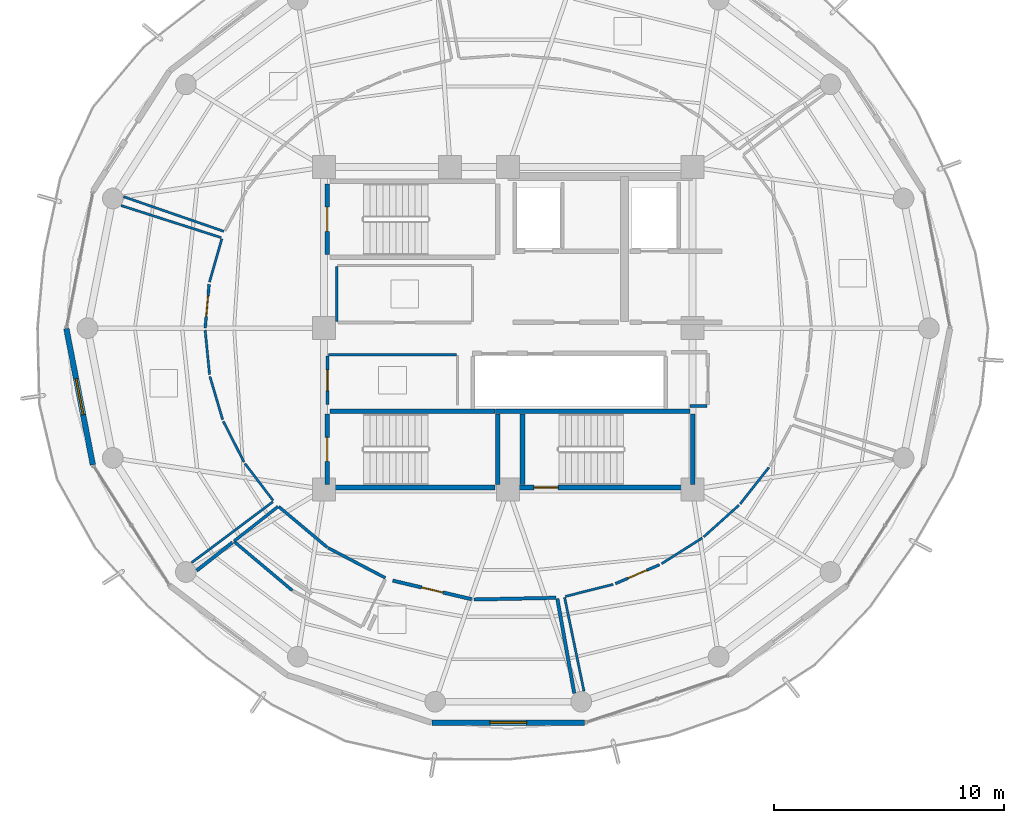
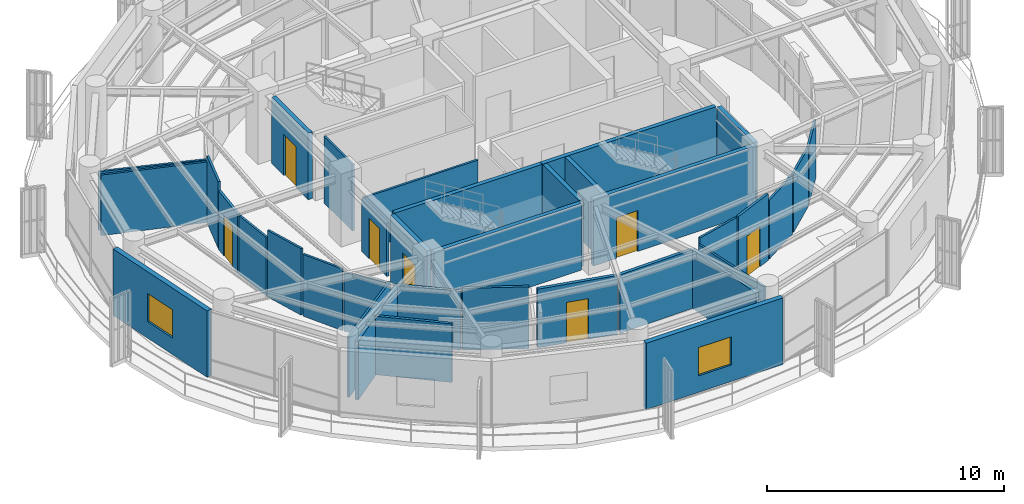
# One storey, part 16 of 23: 38 walls, 7 doors, 2 windows, 9 openings.
"""IFC4 building model written with IfcOpenShell, lengths in metres."""

from ifc_helpers import new_model, si_unit, direction, frame, frame_2d, origin, place, context, subcontext, project, spatial, rectangle, extrude, material, layer, layer_set, type_object, element, fill, save


model = new_model("IFC4")

# Units and contexts
model_context = context("Model", 3, precision=1e-05, world=origin(), true_north=direction((0.0, 1.0)))
body_context = subcontext(model_context, "Body", "Model", "MODEL_VIEW")
ifc_project = project(units=[si_unit("LENGTHUNIT", "METRE"), si_unit("AREAUNIT", "SQUARE_METRE"), si_unit("VOLUMEUNIT", "CUBIC_METRE"), si_unit("PLANEANGLEUNIT", "RADIAN"), si_unit("MASSUNIT", "GRAM", prefix="KILO")], contexts=[model_context])

# Site, building, storey
site_placement = place(None, origin())
site = spatial("IfcSite", under=ifc_project, at=site_placement, CompositionType="ELEMENT")
building_placement = place(site_placement, origin())
building = spatial("IfcBuilding", under=site, at=building_placement, Name="Kelanora Arch Commons", CompositionType="ELEMENT")
storey_placement = place(building_placement, frame((0.0, 0.0, 289.949951171875)))
storey = spatial("IfcBuildingStorey", under=building, at=storey_placement, Name="L74", CompositionType="ELEMENT", Elevation=289.949951171875)

# Wall, opening, door
ifc_material_1 = material(Name="Autoclaved aerated concrete blockwork with fire plaster", Category="masonry")
ifc_layer_1 = layer(ifc_material_1, 0.14990234375)
ifc_layer_set_1 = layer_set([ifc_layer_1], Name="Autoclaved aerated concrete blockwork with fire plaster")
wall_type_1 = type_object("IfcWallType", Name="W-COMP-150", PredefinedType="PARTITIONING", material=ifc_layer_set_1)
wall_1_placement = place(storey_placement, frame((68.9833984375, 47.033203125, 0.0), z_axis=(0.0, 0.0, 1.0), x_axis=(0.973265021884, -0.229684995542, 0.0)))
wall_1 = element("IfcWall", 1, at=wall_1_placement, inside=storey, type_object=wall_type_1, Name="Co-Living Studio L74-03 Entry Partition", PredefinedType="PARTITIONING", context=body_context, shape_type="SweptSolid", body=[
    extrude(rectangle(XDim=3.519287109375, YDim=0.14990234375, at=frame_2d((1.759765625, 0.0))), origin(), (0.0, 0.0, 1.0), 3.01513671875),
])
opening_1_placement = place(wall_1_placement, frame((1.284912109375, 0.0, 0.0)))
opening_1 = element("IfcOpeningElement", 2, at=opening_1_placement, cuts=wall_1, Name="Opening D-CLU1", PredefinedType="OPENING", context=body_context, shape_type="SweptSolid", body=[
    extrude(rectangle(XDim=0.949951171875, YDim=2.080078125, at=frame_2d((0.47509765625, 1.0400390625))), frame((0.0, 0.0849609375, 0.0), z_axis=(0.0, -1.0, 0.0), x_axis=(1.0, 0.0, 0.0)), (0.0, 0.0, 1.0), 0.169921875),
])
ifc_material_2 = material(Name="Solid-core acoustic timber cluster entry fire door", Category="wood")
door_type_1 = type_object("IfcDoorType", Name="D-CLU-95", OperationType="NOTDEFINED", PredefinedType="DOOR", material=ifc_material_2)
door_1_placement = place(opening_1_placement, origin())
door_1 = element("IfcDoor", 3, at=door_1_placement, inside=storey, type_object=door_type_1, Name="Co-Living Studio L74-03 Door", OperationType="SINGLE_SWING_RIGHT", OverallHeight=2.080078125, OverallWidth=0.949951171875, PredefinedType="DOOR", context=body_context, shape_type="SweptSolid", body=[
    extrude(rectangle(XDim=0.949951171875, YDim=2.080078125, at=frame_2d((0.47509765625, 1.0400390625))), frame((0.0, 0.02490234375, 0.0), z_axis=(0.0, -1.0, 0.0), x_axis=(1.0, 0.0, 0.0)), (0.0, 0.0, 1.0), 0.050048828125),
])
fill(opening_1, door_1)

# Walls
wall_2_placement = place(storey_placement, frame((81.89990234375, 54.6201171875, 0.0), z_axis=(0.0, 0.0, 1.0), x_axis=(1.0, 0.0, 0.0)))
element("IfcWall", 4, at=wall_2_placement, inside=storey, type_object=wall_type_1, Name="Core Housekeeping Store L74 Enclosure Partition 1", PredefinedType="PARTITIONING", context=body_context, shape_type="SweptSolid", body=[
    extrude(rectangle(XDim=0.739990234375, YDim=0.14990234375, at=frame_2d((0.3701171875, 0.0))), origin(), (0.0, 0.0, 1.0), 2.715087890625),
])
wall_3_placement = place(storey_placement, frame((72.507080078125, 46.2119140625, 0.0), z_axis=(0.0, 0.0, 1.0), x_axis=(0.999790880908, 0.02044980325, 0.0)))
element("IfcWall", 5, at=wall_3_placement, inside=storey, type_object=wall_type_1, Name="Co-Living Studio L74-03 Enclosure Partition 2", PredefinedType="PARTITIONING", context=body_context, shape_type="SweptSolid", body=[
    extrude(rectangle(XDim=3.58154296875, YDim=0.14990234375, at=frame_2d((1.790771484375, 0.0))), origin(), (0.0, 0.0, 1.0), 3.01513671875),
])
wall_4_placement = place(storey_placement, frame((76.135009765625, 46.24658203125, 0.0), z_axis=(0.0, 0.0, 1.0), x_axis=(0.176199339585, -0.984354505618, 0.0)))
element("IfcWall", 6, at=wall_4_placement, inside=storey, type_object=wall_type_1, Name="Co-Living Studio L74-03 Enclosure Partition 3", PredefinedType="PARTITIONING", context=body_context, shape_type="SweptSolid", body=[
    extrude(rectangle(XDim=4.17626953125, YDim=0.14990234375, at=frame_2d((2.088134765625, 0.0))), origin(), (0.0, 0.0, 1.0), 3.01513671875),
])
wall_5_placement = place(storey_placement, frame((60.4677734375, 47.467529296875, 0.0), z_axis=(0.0, 0.0, 1.0), x_axis=(0.785768578647, 0.618520606618, 0.0)))
element("IfcWall", 7, at=wall_5_placement, inside=storey, type_object=wall_type_1, Name="Co-Living Studio L74-03 Enclosure Partition 6", PredefinedType="PARTITIONING", context=body_context, shape_type="SweptSolid", body=[
    extrude(rectangle(XDim=1.9736328125, YDim=0.14990234375, at=frame_2d((0.98681640625, 0.0))), origin(), (0.0, 0.0, 1.0), 3.01513671875),
])

# Wall, opening, window
ifc_material_3 = material(Name="Precast concrete C40/50 upper-zone terracotta rainscreen", Category="masonry")
ifc_layer_2 = layer(ifc_material_3, 0.239990234375)
ifc_layer_set_2 = layer_set([ifc_layer_2], Name="Precast concrete C40/50 upper-zone terracotta rainscreen")
wall_type_2 = type_object("IfcWallType", Name="W-EXT-TC2", PredefinedType="SOLIDWALL", material=ifc_layer_set_2)
wall_6_placement = place(storey_placement, frame((54.802978515625, 57.9853515625, 0.0), z_axis=(0.0, 0.0, 1.0), x_axis=(0.190969309115, -0.981596008028, 0.0)))
wall_6 = element("IfcWall", 8, at=wall_6_placement, inside=storey, type_object=wall_type_2, Name="Terracotta Exterior Wall L74-B09", PredefinedType="SOLIDWALL", context=body_context, shape_type="SweptSolid", body=[
    extrude(rectangle(XDim=6.032958984375, YDim=0.239990234375, at=frame_2d((3.0166015625, 0.0))), origin(), (0.0, 0.0, 1.0), 3.4150390625),
])
opening_2_placement = place(wall_6_placement, frame((2.216064453125, 0.0, 0.85009765625)))
opening_2 = element("IfcOpeningElement", 9, at=opening_2_placement, cuts=wall_6, Name="Opening WN-01", PredefinedType="OPENING", context=body_context, shape_type="SweptSolid", body=[
    extrude(rectangle(XDim=1.60009765625, YDim=1.449951171875, at=frame_2d((0.800048828125, 0.72509765625))), frame((0.0, 0.1298828125, 0.0), z_axis=(0.0, -1.0, 0.0), x_axis=(1.0, 0.0, 0.0)), (0.0, 0.0, 1.0), 0.260009765625),
])
ifc_material_4 = material(Name="Terracotta-anodised aluminium frame with operable low-E glazing", Category="masonry")
window_type = type_object("IfcWindowType", Name="WIN-CL-18", PartitioningType="DOUBLE_PANEL_VERTICAL", PredefinedType="WINDOW", material=ifc_material_4)
window_1_placement = place(opening_2_placement, origin())
window_1 = element("IfcWindow", 10, at=window_1_placement, inside=storey, type_object=window_type, Name="Co-Living Operable Window L74-B09", OverallHeight=1.449951171875, OverallWidth=1.60009765625, PartitioningType="SINGLE_PANEL", PredefinedType="WINDOW", context=body_context, shape_type="SweptSolid", body=[
    extrude(rectangle(XDim=1.60009765625, YDim=1.449951171875, at=frame_2d((0.800048828125, 0.72509765625))), frame((0.0, 0.030029296875, 0.0), z_axis=(0.0, -1.0, 0.0), x_axis=(1.0, 0.0, 0.0)), (0.0, 0.0, 1.0), 0.06005859375),
])
fill(opening_2, window_1)

wall_7_placement = place(storey_placement, frame((70.680908203125, 40.8642578125, 0.0), z_axis=(0.0, 0.0, 1.0), x_axis=(1.0, 0.0, 0.0)))
wall_7 = element("IfcWall", 11, at=wall_7_placement, inside=storey, type_object=wall_type_2, Name="Terracotta Exterior Wall L74-B13", PredefinedType="SOLIDWALL", context=body_context, shape_type="SweptSolid", body=[
    extrude(rectangle(XDim=6.63818359375, YDim=0.239990234375, at=frame_2d((3.319091796875, 0.0))), origin(), (0.0, 0.0, 1.0), 3.4150390625),
])
opening_3_placement = place(wall_7_placement, frame((2.51904296875, 0.0, 0.85009765625)))
opening_3 = element("IfcOpeningElement", 12, at=opening_3_placement, cuts=wall_7, Name="Opening WN-01", PredefinedType="OPENING", context=body_context, shape_type="SweptSolid", body=[
    extrude(rectangle(XDim=1.60009765625, YDim=1.449951171875, at=frame_2d((0.800048828125, 0.72509765625))), frame((0.0, 0.1298828125, 0.0), z_axis=(0.0, -1.0, 0.0), x_axis=(1.0, 0.0, 0.0)), (0.0, 0.0, 1.0), 0.260009765625),
])
window_2_placement = place(opening_3_placement, origin())
window_2 = element("IfcWindow", 13, at=window_2_placement, inside=storey, type_object=window_type, Name="Co-Living Operable Window L74-B13", OverallHeight=1.449951171875, OverallWidth=1.60009765625, PartitioningType="SINGLE_PANEL", PredefinedType="WINDOW", context=body_context, shape_type="SweptSolid", body=[
    extrude(rectangle(XDim=1.60009765625, YDim=1.449951171875, at=frame_2d((0.800048828125, 0.72509765625))), frame((0.0, 0.030029296875, 0.0), z_axis=(0.0, -1.0, 0.0), x_axis=(1.0, 0.0, 0.0)), (0.0, 0.0, 1.0), 0.06005859375),
])
fill(opening_3, window_2)

# Walls
ifc_material_5 = material(Name="Lightweight fire-rated acoustic stud partition")
ifc_layer_3 = layer(ifc_material_5, 0.10009765625)
ifc_layer_set_3 = layer_set([ifc_layer_3], Name="Lightweight fire-rated acoustic stud partition")
wall_type_3 = type_object("IfcWallType", Name="W-PART-100", PredefinedType="PARTITIONING", material=ifc_layer_set_3)
wall_8_placement = place(storey_placement, frame((66.550048828125, 60.679931640625, 0.0), z_axis=(0.0, 0.0, 1.0), x_axis=(0.0, -1.0, 0.0)))
element("IfcWall", 14, at=wall_8_placement, inside=storey, type_object=wall_type_3, Name="Reclaimed Core Study Pod Lounge L74 Enclosure Partition 4", PredefinedType="PARTITIONING", context=body_context, shape_type="SweptSolid", body=[
    extrude(rectangle(XDim=2.389892578125, YDim=0.10009765625, at=frame_2d((1.19482421875, 0.0))), origin(), (0.0, 0.0, 1.0), 3.420166015625),
])
wall_9_placement = place(storey_placement, frame((71.760009765625, 56.85009765625, 0.0), z_axis=(0.0, 0.0, 1.0), x_axis=(-1.0, 0.0, 0.0)))
element("IfcWall", 15, at=wall_9_placement, inside=storey, type_object=wall_type_3, Name="Reclaimed Core High-Zone Pantry and Copy Room L74 Enclosure Partition 3", PredefinedType="PARTITIONING", context=body_context, shape_type="SweptSolid", body=[
    extrude(rectangle(XDim=5.570068359375, YDim=0.10009765625, at=frame_2d((2.78515625, 0.0))), origin(), (0.0, 0.0, 1.0), 2.715087890625),
])
wall_10_placement = place(storey_placement, frame((61.64208984375, 62.208984375, 0.0), z_axis=(0.0, 0.0, 1.0), x_axis=(-0.945103281494, 0.326771766388, 0.0)))
element("IfcWall", 16, at=wall_10_placement, inside=storey, type_object=wall_type_3, Name="Communal Dining and Social Hall L74-01 Enclosure Partition 7", PredefinedType="PARTITIONING", context=body_context, shape_type="SweptSolid", body=[
    extrude(rectangle(XDim=4.603759765625, YDim=0.10009765625, at=frame_2d((2.3017578125, 0.0))), origin(), (0.0, 0.0, 1.0), 3.01513671875),
])
wall_11_placement = place(storey_placement, frame((61.55908203125, 61.884521484375, 0.0), z_axis=(0.0, 0.0, 1.0), x_axis=(-0.274226302341, -0.961665188673, 0.0)))
element("IfcWall", 17, at=wall_11_placement, inside=storey, type_object=wall_type_3, Name="Social Sky Lounge L74-02 Enclosure Partition 1", PredefinedType="PARTITIONING", context=body_context, shape_type="SweptSolid", body=[
    extrude(rectangle(XDim=1.955078125, YDim=0.10009765625, at=frame_2d((0.9775390625, 0.0))), origin(), (0.0, 0.0, 1.0), 3.420166015625),
])
wall_12_placement = place(storey_placement, frame((60.833984375, 57.912109375, 0.0), z_axis=(0.0, 0.0, 1.0), x_axis=(0.098769631998, -0.995110325439, 0.0)))
element("IfcWall", 18, at=wall_12_placement, inside=storey, type_object=wall_type_3, Name="Social Sky Lounge L74-02 Enclosure Partition 3", PredefinedType="PARTITIONING", context=body_context, shape_type="SweptSolid", body=[
    extrude(rectangle(XDim=1.94287109375, YDim=0.10009765625, at=frame_2d((0.971435546875, 0.0))), origin(), (0.0, 0.0, 1.0), 3.01513671875),
])
wall_13_placement = place(storey_placement, frame((61.041259765625, 55.900634765625, 0.0), z_axis=(0.0, 0.0, 1.0), x_axis=(0.28293653612, -0.959138632591, 0.0)))
element("IfcWall", 19, at=wall_13_placement, inside=storey, type_object=wall_type_3, Name="Social Sky Lounge L74-02 Enclosure Partition 4", PredefinedType="PARTITIONING", context=body_context, shape_type="SweptSolid", body=[
    extrude(rectangle(XDim=1.9560546875, YDim=0.10009765625, at=frame_2d((0.97802734375, 0.0))), origin(), (0.0, 0.0, 1.0), 3.420166015625),
])
wall_14_placement = place(storey_placement, frame((61.6240234375, 53.950439453125, 0.0), z_axis=(0.0, 0.0, 1.0), x_axis=(0.453658133306, -0.891175795276, 0.0)))
element("IfcWall", 20, at=wall_14_placement, inside=storey, type_object=wall_type_3, Name="Social Sky Lounge L74-02 Enclosure Partition 5", PredefinedType="PARTITIONING", context=body_context, shape_type="SweptSolid", body=[
    extrude(rectangle(XDim=1.9814453125, YDim=0.10009765625, at=frame_2d((0.99072265625, 0.0))), origin(), (0.0, 0.0, 1.0), 3.175048828125),
])
wall_15_placement = place(storey_placement, frame((62.565185546875, 52.1171875, 0.0), z_axis=(0.0, 0.0, 1.0), x_axis=(0.605473441765, -0.795865510823, 0.0)))
element("IfcWall", 21, at=wall_15_placement, inside=storey, type_object=wall_type_3, Name="Social Sky Lounge L74-02 Enclosure Partition 6", PredefinedType="PARTITIONING", context=body_context, shape_type="SweptSolid", body=[
    extrude(rectangle(XDim=2.014404296875, YDim=0.10009765625, at=frame_2d((1.00732421875, 0.0))), origin(), (0.0, 0.0, 1.0), 3.01513671875),
])
wall_16_placement = place(storey_placement, frame((63.777099609375, 50.4580078125, 0.0), z_axis=(0.0, 0.0, 1.0), x_axis=(-0.800384816546, -0.599486568191, 0.0)))
element("IfcWall", 22, at=wall_16_placement, inside=storey, type_object=wall_type_3, Name="Social Sky Lounge L74-02 Enclosure Partition 7", PredefinedType="PARTITIONING", context=body_context, shape_type="SweptSolid", body=[
    extrude(rectangle(XDim=4.413818359375, YDim=0.10009765625, at=frame_2d((2.20703125, 0.0))), origin(), (0.0, 0.0, 1.0), 3.114990234375),
])
wall_17_placement = place(storey_placement, frame((57.184326171875, 63.328857421875, 0.0), z_axis=(0.0, 0.0, 1.0), x_axis=(0.95227750557, -0.305233602976, 0.0)))
element("IfcWall", 23, at=wall_17_placement, inside=storey, type_object=wall_type_3, Name="Social Sky Lounge L74-02 Enclosure Partition 14", PredefinedType="PARTITIONING", context=body_context, shape_type="SweptSolid", body=[
    extrude(rectangle(XDim=4.5654296875, YDim=0.10009765625, at=frame_2d((2.28271484375, 0.0))), origin(), (0.0, 0.0, 1.0), 3.114990234375),
])
wall_18_placement = place(storey_placement, frame((76.48388671875, 46.345703125, 0.0), z_axis=(0.0, 0.0, 1.0), x_axis=(0.969827312174, 0.243792913272, 0.0)))
element("IfcWall", 24, at=wall_18_placement, inside=storey, type_object=wall_type_3, Name="Quiet Seminar Study Room L74-04 Enclosure Partition 1", PredefinedType="PARTITIONING", context=body_context, shape_type="SweptSolid", body=[
    extrude(rectangle(XDim=2.14697265625, YDim=0.10009765625, at=frame_2d((1.073486328125, 0.0))), origin(), (0.0, 0.0, 1.0), 3.420166015625),
])
wall_19_placement = place(storey_placement, frame((80.664794921875, 47.766357421875, 0.0), z_axis=(0.0, 0.0, 1.0), x_axis=(0.844856002064, 0.534993771717, 0.0)))
element("IfcWall", 25, at=wall_19_placement, inside=storey, type_object=wall_type_3, Name="Quiet Seminar Study Room L74-04 Enclosure Partition 3", PredefinedType="PARTITIONING", context=body_context, shape_type="SweptSolid", body=[
    extrude(rectangle(XDim=2.091796875, YDim=0.10009765625, at=frame_2d((1.0458984375, 0.0))), origin(), (0.0, 0.0, 1.0), 3.01513671875),
])
wall_20_placement = place(storey_placement, frame((82.495849609375, 48.93359375, 0.0), z_axis=(0.0, 0.0, 1.0), x_axis=(0.743943808924, 0.668242178527, 0.0)))
element("IfcWall", 26, at=wall_20_placement, inside=storey, type_object=wall_type_3, Name="Quiet Seminar Study Room L74-04 Enclosure Partition 4", PredefinedType="PARTITIONING", context=body_context, shape_type="SweptSolid", body=[
    extrude(rectangle(XDim=2.054443359375, YDim=0.10009765625, at=frame_2d((1.02734375, 0.0))), origin(), (0.0, 0.0, 1.0), 3.01513671875),
])
wall_21_placement = place(storey_placement, frame((84.07861328125, 50.364501953125, 0.0), z_axis=(0.0, 0.0, 1.0), x_axis=(0.618820199788, 0.785532660259, 0.0)))
element("IfcWall", 27, at=wall_21_placement, inside=storey, type_object=wall_type_3, Name="Quiet Seminar Study Room L74-04 Enclosure Partition 5", PredefinedType="PARTITIONING", context=body_context, shape_type="SweptSolid", body=[
    extrude(rectangle(XDim=2.01806640625, YDim=0.10009765625, at=frame_2d((1.009033203125, 0.0))), origin(), (0.0, 0.0, 1.0), 3.01513671875),
])
wall_22_placement = place(storey_placement, frame((77.293212890625, 42.230224609375, 0.0), z_axis=(0.0, 0.0, 1.0), x_axis=(-0.202308141573, 0.979321916355, 0.0)))
element("IfcWall", 28, at=wall_22_placement, inside=storey, type_object=wall_type_3, Name="Quiet Seminar Study Room L74-04 Enclosure Partition 14", PredefinedType="PARTITIONING", context=body_context, shape_type="SweptSolid", body=[
    extrude(rectangle(XDim=4.152587890625, YDim=0.10009765625, at=frame_2d((2.076171875, 0.0))), origin(), (0.0, 0.0, 1.0), 3.114990234375),
])

# Wall, opening, door
ifc_material_6 = material(Name="Acoustic twin-stud fire-rated gypsum partition")
ifc_layer_4 = layer(ifc_material_6, 0.1201171875)
ifc_layer_set_4 = layer_set([ifc_layer_4], Name="Acoustic twin-stud fire-rated gypsum partition")
wall_type_4 = type_object("IfcWallType", Name="W-PART-120", PredefinedType="PARTITIONING", material=ifc_layer_set_4)
wall_23_placement = place(storey_placement, frame((66.14990234375, 54.679931640625, 0.0), z_axis=(0.0, 0.0, 1.0), x_axis=(0.0, 1.0, 0.0)))
wall_23 = element("IfcWall", 29, at=wall_23_placement, inside=storey, type_object=wall_type_4, Name="Reclaimed Core High-Zone Pantry and Copy Room L74 Entry Partition", PredefinedType="PARTITIONING", context=body_context, shape_type="SweptSolid", body=[
    extrude(rectangle(XDim=2.110107421875, YDim=0.1201171875, at=frame_2d((1.05517578125, 0.0))), origin(), (0.0, 0.0, 1.0), 2.715087890625),
])
opening_4_placement = place(wall_23_placement, frame((0.60498046875, 0.0, 0.0)))
opening_4 = element("IfcOpeningElement", 30, at=opening_4_placement, cuts=wall_23, Name="Opening D-RM1", PredefinedType="OPENING", context=body_context, shape_type="SweptSolid", body=[
    extrude(rectangle(XDim=0.89990234375, YDim=2.080078125, at=frame_2d((0.449951171875, 1.0400390625))), frame((0.0, 0.070068359375, 0.0), z_axis=(0.0, -1.0, 0.0), x_axis=(1.0, 0.0, 0.0)), (0.0, 0.0, 1.0), 0.14013671875),
])
ifc_material_7 = material(Name="Acoustic fire-rated timber study and lounge door", Category="wood")
door_type_2 = type_object("IfcDoorType", Name="D-ROOM-90", OperationType="NOTDEFINED", PredefinedType="DOOR", material=ifc_material_7)
door_2_placement = place(opening_4_placement, origin())
door_2 = element("IfcDoor", 31, at=door_2_placement, inside=storey, type_object=door_type_2, Name="Reclaimed Core High-Zone Pantry and Copy Room L74 Door", OperationType="SINGLE_SWING_RIGHT", OverallHeight=2.080078125, OverallWidth=0.89990234375, PredefinedType="DOOR", context=body_context, shape_type="SweptSolid", body=[
    extrude(rectangle(XDim=0.89990234375, YDim=2.080078125, at=frame_2d((0.449951171875, 1.0400390625))), frame((0.0, 0.02490234375, 0.0), z_axis=(0.0, -1.0, 0.0), x_axis=(1.0, 0.0, 0.0)), (0.0, 0.0, 1.0), 0.050048828125),
])
fill(opening_4, door_2)

wall_24_placement = place(storey_placement, frame((61.006591796875, 59.90625, 0.0), z_axis=(0.0, 0.0, 1.0), x_axis=(-0.089968706127, -0.995944592795, 0.0)))
wall_24 = element("IfcWall", 32, at=wall_24_placement, inside=storey, type_object=wall_type_4, Name="Social Sky Lounge L74-02 Entry Partition", PredefinedType="PARTITIONING", context=body_context, shape_type="SweptSolid", body=[
    extrude(rectangle(XDim=1.90234375, YDim=0.1201171875, at=frame_2d((0.951171875, 0.0))), origin(), (0.0, 0.0, 1.0), 3.01513671875),
])
opening_5_placement = place(wall_24_placement, frame((0.5009765625, 0.0, 0.0)))
opening_5 = element("IfcOpeningElement", 33, at=opening_5_placement, cuts=wall_24, Name="Opening D-RM1", PredefinedType="OPENING", context=body_context, shape_type="SweptSolid", body=[
    extrude(rectangle(XDim=0.89990234375, YDim=2.080078125, at=frame_2d((0.449951171875, 1.0400390625))), frame((0.0, 0.070068359375, 0.0), z_axis=(0.0, -1.0, 0.0), x_axis=(1.0, 0.0, 0.0)), (0.0, 0.0, 1.0), 0.14013671875),
])
door_3_placement = place(opening_5_placement, origin())
door_3 = element("IfcDoor", 34, at=door_3_placement, inside=storey, type_object=door_type_2, Name="Social Sky Lounge L74-02 Door", OperationType="SINGLE_SWING_RIGHT", OverallHeight=2.080078125, OverallWidth=0.89990234375, PredefinedType="DOOR", context=body_context, shape_type="SweptSolid", body=[
    extrude(rectangle(XDim=0.89990234375, YDim=2.080078125, at=frame_2d((0.449951171875, 1.0400390625))), frame((0.0, 0.02490234375, 0.0), z_axis=(0.0, -1.0, 0.0), x_axis=(1.0, 0.0, 0.0)), (0.0, 0.0, 1.0), 0.050048828125),
])
fill(opening_5, door_3)

wall_25_placement = place(storey_placement, frame((78.66015625, 46.902587890625, 0.0), z_axis=(0.0, 0.0, 1.0), x_axis=(0.919508345424, 0.39307048057, 0.0)))
wall_25 = element("IfcWall", 35, at=wall_25_placement, inside=storey, type_object=wall_type_4, Name="Quiet Seminar Study Room L74-04 Entry Partition", PredefinedType="PARTITIONING", context=body_context, shape_type="SweptSolid", body=[
    extrude(rectangle(XDim=2.083251953125, YDim=0.1201171875, at=frame_2d((1.04150390625, 0.0))), origin(), (0.0, 0.0, 1.0), 3.420166015625),
])
opening_6_placement = place(wall_25_placement, frame((0.592041015625, 0.0, 0.0)))
opening_6 = element("IfcOpeningElement", 36, at=opening_6_placement, cuts=wall_25, Name="Opening D-RM1", PredefinedType="OPENING", context=body_context, shape_type="SweptSolid", body=[
    extrude(rectangle(XDim=0.89990234375, YDim=2.080078125, at=frame_2d((0.449951171875, 1.0400390625))), frame((0.0, 0.070068359375, 0.0), z_axis=(0.0, -1.0, 0.0), x_axis=(1.0, 0.0, 0.0)), (0.0, 0.0, 1.0), 0.14013671875),
])
door_4_placement = place(opening_6_placement, origin())
door_4 = element("IfcDoor", 37, at=door_4_placement, inside=storey, type_object=door_type_2, Name="Quiet Seminar Study Room L74-04 Door", OperationType="SINGLE_SWING_LEFT", OverallHeight=2.080078125, OverallWidth=0.89990234375, PredefinedType="DOOR", context=body_context, shape_type="SweptSolid", body=[
    extrude(rectangle(XDim=0.89990234375, YDim=2.080078125, at=frame_2d((0.449951171875, 1.0400390625))), frame((0.0, 0.02490234375, 0.0), z_axis=(0.0, -1.0, 0.0), x_axis=(1.0, 0.0, 0.0)), (0.0, 0.0, 1.0), 0.050048828125),
])
fill(opening_6, door_4)

ifc_material_8 = material(Name="Concrete C40/50", Category="concrete")
ifc_layer_5 = layer(ifc_material_8, 0.199951171875)
ifc_layer_set_5 = layer_set([ifc_layer_5], Name="Concrete C40/50")
wall_type_5 = type_object("IfcWallType", Name="W-STAIR-200", PredefinedType="SHEAR", material=ifc_layer_set_5)
wall_26_placement = place(storey_placement, frame((66.139892578125, 64.27001953125, 0.0), z_axis=(0.0, 0.0, 1.0), x_axis=(0.0, -1.0, 0.0)))
wall_26 = element("IfcWall", 38, at=wall_26_placement, inside=storey, type_object=wall_type_5, Name="Stair ST-T1 Shaft Wall W L74", PredefinedType="SHEAR", context=body_context, shape_type="SweptSolid", body=[
    extrude(rectangle(XDim=3.070068359375, YDim=0.199951171875, at=frame_2d((1.53515625, 0.0))), origin(), (0.0, 0.0, 1.0), 3.429931640625),
])
opening_7_placement = place(wall_26_placement, frame((1.010009765625, 0.0, 0.0)))
opening_7 = element("IfcOpeningElement", 39, at=opening_7_placement, cuts=wall_26, Name="Opening D-ST1", PredefinedType="OPENING", context=body_context, shape_type="SweptSolid", body=[
    extrude(rectangle(XDim=1.050048828125, YDim=2.10009765625, at=frame_2d((0.52490234375, 1.050048828125))), frame((0.0, 0.10986328125, 0.0), z_axis=(0.0, -1.0, 0.0), x_axis=(1.0, 0.0, 0.0)), (0.0, 0.0, 1.0), 0.219970703125),
])
ifc_material_9 = material(Name="Steel fire-rated stairwell escape door", Category="steel")
door_type_3 = type_object("IfcDoorType", Name="D-STAIR-110", OperationType="NOTDEFINED", PredefinedType="DOOR", material=ifc_material_9)
door_5_placement = place(opening_7_placement, origin())
door_5 = element("IfcDoor", 40, at=door_5_placement, inside=storey, type_object=door_type_3, Name="Stair ST-T1 Escape Door L74", OperationType="SINGLE_SWING_LEFT", OverallHeight=2.10009765625, OverallWidth=1.050048828125, PredefinedType="DOOR", context=body_context, shape_type="SweptSolid", body=[
    extrude(rectangle(XDim=1.050048828125, YDim=2.10009765625, at=frame_2d((0.52490234375, 1.050048828125))), frame((0.0, 0.02490234375, 0.0), z_axis=(0.0, -1.0, 0.0), x_axis=(1.0, 0.0, 0.0)), (0.0, 0.0, 1.0), 0.050048828125),
])
fill(opening_7, door_5)

wall_27_placement = place(storey_placement, frame((74.0, 51.080078125, 0.0), z_axis=(0.0, 0.0, 1.0), x_axis=(1.0, 0.0, 0.0)))
wall_27 = element("IfcWall", 41, at=wall_27_placement, inside=storey, type_object=wall_type_5, Name="Stair ST-T2 Shaft Wall S L74", PredefinedType="SHEAR", context=body_context, shape_type="SweptSolid", body=[
    extrude(rectangle(XDim=7.89990234375, YDim=0.199951171875, at=frame_2d((3.949951171875, 0.0))), origin(), (0.0, 0.0, 1.0), 3.429931640625),
])
opening_8_placement = place(wall_27_placement, frame((1.1201171875, 0.0, 0.0)))
opening_8 = element("IfcOpeningElement", 42, at=opening_8_placement, cuts=wall_27, Name="Opening D-ST1", PredefinedType="OPENING", context=body_context, shape_type="SweptSolid", body=[
    extrude(rectangle(XDim=1.050048828125, YDim=2.10009765625, at=frame_2d((0.52490234375, 1.050048828125))), frame((0.0, 0.10986328125, 0.0), z_axis=(0.0, -1.0, 0.0), x_axis=(1.0, 0.0, 0.0)), (0.0, 0.0, 1.0), 0.219970703125),
])
door_6_placement = place(opening_8_placement, origin())
door_6 = element("IfcDoor", 43, at=door_6_placement, inside=storey, type_object=door_type_3, Name="Stair ST-T2 Escape Door L74", OperationType="SINGLE_SWING_LEFT", OverallHeight=2.10009765625, OverallWidth=1.050048828125, PredefinedType="DOOR", context=body_context, shape_type="SweptSolid", body=[
    extrude(rectangle(XDim=1.050048828125, YDim=2.10009765625, at=frame_2d((0.52490234375, 1.050048828125))), frame((0.0, 0.02490234375, 0.0), z_axis=(0.0, -1.0, 0.0), x_axis=(1.0, 0.0, 0.0)), (0.0, 0.0, 1.0), 0.050048828125),
])
fill(opening_8, door_6)

# Walls
wall_28_placement = place(storey_placement, frame((82.02001953125, 51.199951171875, 0.0), z_axis=(0.0, 0.0, 1.0), x_axis=(0.0, 1.0, 0.0)))
element("IfcWall", 44, at=wall_28_placement, inside=storey, type_object=wall_type_5, Name="Stair ST-T2 Shaft Wall E L74", PredefinedType="SHEAR", context=body_context, shape_type="SweptSolid", body=[
    extrude(rectangle(XDim=3.070068359375, YDim=0.199951171875, at=frame_2d((1.53515625, 0.0))), origin(), (0.0, 0.0, 1.0), 3.429931640625),
])
wall_29_placement = place(storey_placement, frame((81.89990234375, 54.389892578125, 0.0), z_axis=(0.0, 0.0, 1.0), x_axis=(-1.0, 0.0, 0.0)))
element("IfcWall", 45, at=wall_29_placement, inside=storey, type_object=wall_type_5, Name="Stair ST-T2 Shaft Wall N L74", PredefinedType="SHEAR", context=body_context, shape_type="SweptSolid", body=[
    extrude(rectangle(XDim=8.4599609375, YDim=0.199951171875, at=frame_2d((4.22998046875, 0.0))), origin(), (0.0, 0.0, 1.0), 3.429931640625),
])
wall_30_placement = place(storey_placement, frame((74.6201171875, 54.27001953125, 0.0), z_axis=(0.0, 0.0, 1.0), x_axis=(0.0, -1.0, 0.0)))
element("IfcWall", 46, at=wall_30_placement, inside=storey, type_object=wall_type_5, Name="Stair ST-T2 Shaft Wall W L74", PredefinedType="SHEAR", context=body_context, shape_type="SweptSolid", body=[
    extrude(rectangle(XDim=3.070068359375, YDim=0.199951171875, at=frame_2d((1.53515625, 0.0))), origin(), (0.0, 0.0, 1.0), 3.429931640625),
])
wall_31_placement = place(storey_placement, frame((66.260009765625, 51.080078125, 0.0), z_axis=(0.0, 0.0, 1.0), x_axis=(1.0, 0.0, 0.0)))
element("IfcWall", 47, at=wall_31_placement, inside=storey, type_object=wall_type_5, Name="Stair ST-T3 Shaft Wall S L74", PredefinedType="SHEAR", context=body_context, shape_type="SweptSolid", body=[
    extrude(rectangle(XDim=7.159912109375, YDim=0.199951171875, at=frame_2d((3.580078125, 0.0))), origin(), (0.0, 0.0, 1.0), 3.429931640625),
])
wall_32_placement = place(storey_placement, frame((73.5400390625, 51.199951171875, 0.0), z_axis=(0.0, 0.0, 1.0), x_axis=(0.0, 1.0, 0.0)))
element("IfcWall", 48, at=wall_32_placement, inside=storey, type_object=wall_type_5, Name="Stair ST-T3 Shaft Wall E L74", PredefinedType="SHEAR", context=body_context, shape_type="SweptSolid", body=[
    extrude(rectangle(XDim=3.070068359375, YDim=0.199951171875, at=frame_2d((1.53515625, 0.0))), origin(), (0.0, 0.0, 1.0), 3.429931640625),
])
wall_33_placement = place(storey_placement, frame((73.419921875, 54.389892578125, 0.0), z_axis=(0.0, 0.0, 1.0), x_axis=(-1.0, 0.0, 0.0)))
element("IfcWall", 49, at=wall_33_placement, inside=storey, type_object=wall_type_5, Name="Stair ST-T3 Shaft Wall N L74", PredefinedType="SHEAR", context=body_context, shape_type="SweptSolid", body=[
    extrude(rectangle(XDim=7.159912109375, YDim=0.199951171875, at=frame_2d((3.580078125, 0.0))), origin(), (0.0, 0.0, 1.0), 3.429931640625),
])

# Wall, opening, door
wall_34_placement = place(storey_placement, frame((66.139892578125, 54.27001953125, 0.0), z_axis=(0.0, 0.0, 1.0), x_axis=(0.0, -1.0, 0.0)))
wall_34 = element("IfcWall", 50, at=wall_34_placement, inside=storey, type_object=wall_type_5, Name="Stair ST-T3 Shaft Wall W L74", PredefinedType="SHEAR", context=body_context, shape_type="SweptSolid", body=[
    extrude(rectangle(XDim=3.070068359375, YDim=0.199951171875, at=frame_2d((1.53515625, 0.0))), origin(), (0.0, 0.0, 1.0), 3.429931640625),
])
opening_9_placement = place(wall_34_placement, frame((1.010009765625, 0.0, 0.0)))
opening_9 = element("IfcOpeningElement", 51, at=opening_9_placement, cuts=wall_34, Name="Opening D-ST1", PredefinedType="OPENING", context=body_context, shape_type="SweptSolid", body=[
    extrude(rectangle(XDim=1.050048828125, YDim=2.10009765625, at=frame_2d((0.52490234375, 1.050048828125))), frame((0.0, 0.10986328125, 0.0), z_axis=(0.0, -1.0, 0.0), x_axis=(1.0, 0.0, 0.0)), (0.0, 0.0, 1.0), 0.219970703125),
])
door_7_placement = place(opening_9_placement, origin())
door_7 = element("IfcDoor", 52, at=door_7_placement, inside=storey, type_object=door_type_3, Name="Stair ST-T3 Escape Door L74", OperationType="SINGLE_SWING_LEFT", OverallHeight=2.10009765625, OverallWidth=1.050048828125, PredefinedType="DOOR", context=body_context, shape_type="SweptSolid", body=[
    extrude(rectangle(XDim=1.050048828125, YDim=2.10009765625, at=frame_2d((0.52490234375, 1.050048828125))), frame((0.0, 0.02490234375, 0.0), z_axis=(0.0, -1.0, 0.0), x_axis=(1.0, 0.0, 0.0)), (0.0, 0.0, 1.0), 0.050048828125),
])
fill(opening_9, door_7)

# Walls
ifc_material_10 = material(Name="Moisture-resistant fire-rated cement-board plumbing wall")
ifc_layer_6 = layer(ifc_material_10, 0.1298828125)
ifc_layer_set_6 = layer_set([ifc_layer_6], Name="Moisture-resistant fire-rated cement-board plumbing wall")
wall_type_6 = type_object("IfcWallType", Name="W-WET-120", PredefinedType="PLUMBINGWALL", material=ifc_layer_set_6)
wall_35_placement = place(storey_placement, frame((64.0302734375, 50.2470703125, 0.0), z_axis=(0.0, 0.0, 1.0), x_axis=(0.766167599315, -0.642640809286, 0.0)))
element("IfcWall", 53, at=wall_35_placement, inside=storey, type_object=wall_type_6, Name="En-Suite Shower WC L74-03 Enclosure Partition 1", PredefinedType="PLUMBINGWALL", context=body_context, shape_type="SweptSolid", body=[
    extrude(rectangle(XDim=2.753173828125, YDim=0.1298828125, at=frame_2d((1.37646484375, 0.0))), origin(), (0.0, 0.0, 1.0), 3.01513671875),
])
wall_36_placement = place(storey_placement, frame((66.172607421875, 48.455810546875, 0.0), z_axis=(0.0, 0.0, 1.0), x_axis=(0.885795858503, -0.464075098512, 0.0)))
element("IfcWall", 54, at=wall_36_placement, inside=storey, type_object=wall_type_6, Name="En-Suite Shower WC L74-03 Enclosure Partition 2", PredefinedType="PLUMBINGWALL", context=body_context, shape_type="SweptSolid", body=[
    extrude(rectangle(XDim=2.81298828125, YDim=0.1298828125, at=frame_2d((1.406494140625, 0.0))), origin(), (0.0, 0.0, 1.0), 3.175048828125),
])
wall_37_placement = place(storey_placement, frame((64.61962890625, 46.60498046875, 0.0), z_axis=(0.0, 0.0, 1.0), x_axis=(-0.765494729633, 0.643442164382, 0.0)))
element("IfcWall", 55, at=wall_37_placement, inside=storey, type_object=wall_type_6, Name="En-Suite Shower WC L74-03 Enclosure Partition 5", PredefinedType="PLUMBINGWALL", context=body_context, shape_type="SweptSolid", body=[
    extrude(rectangle(XDim=3.29638671875, YDim=0.1298828125, at=frame_2d((1.648193359375, 0.0))), origin(), (0.0, 0.0, 1.0), 3.01513671875),
])
wall_38_placement = place(storey_placement, frame((62.0966796875, 48.75146484375, 0.0), z_axis=(0.0, 0.0, 1.0), x_axis=(0.786076764473, 0.618128886525, 0.0)))
element("IfcWall", 56, at=wall_38_placement, inside=storey, type_object=wall_type_6, Name="En-Suite Shower WC L74-03 Enclosure Partition 6", PredefinedType="PLUMBINGWALL", context=body_context, shape_type="SweptSolid", body=[
    extrude(rectangle(XDim=2.42041015625, YDim=0.1298828125, at=frame_2d((1.210205078125, 0.0))), origin(), (0.0, 0.0, 1.0), 3.01513671875),
])

save(model, "model.ifc")
